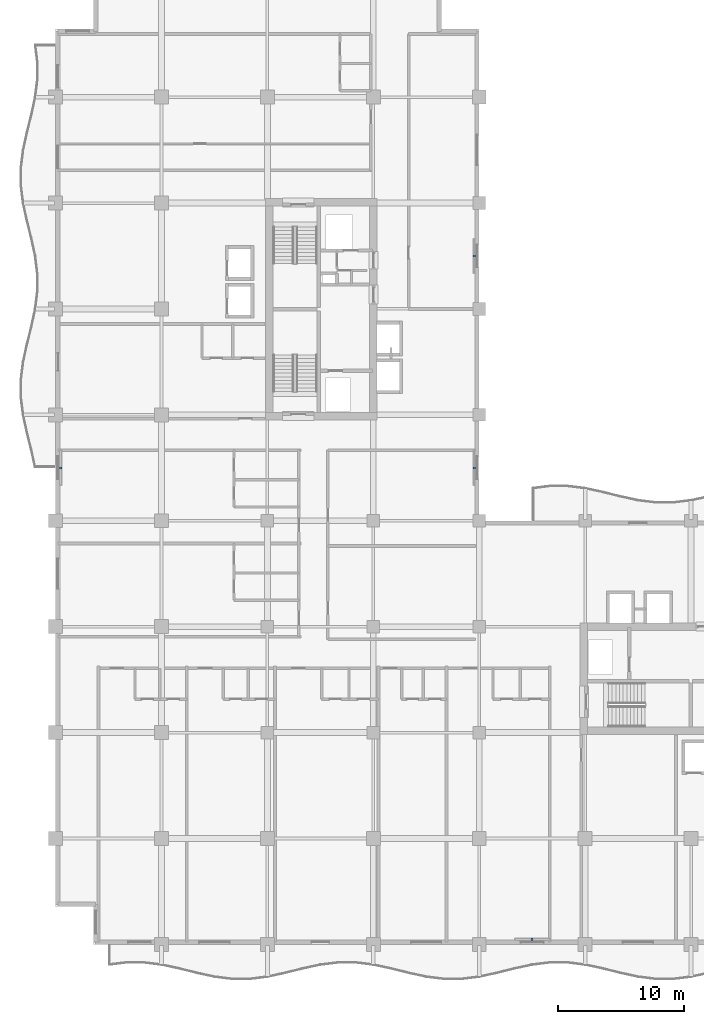
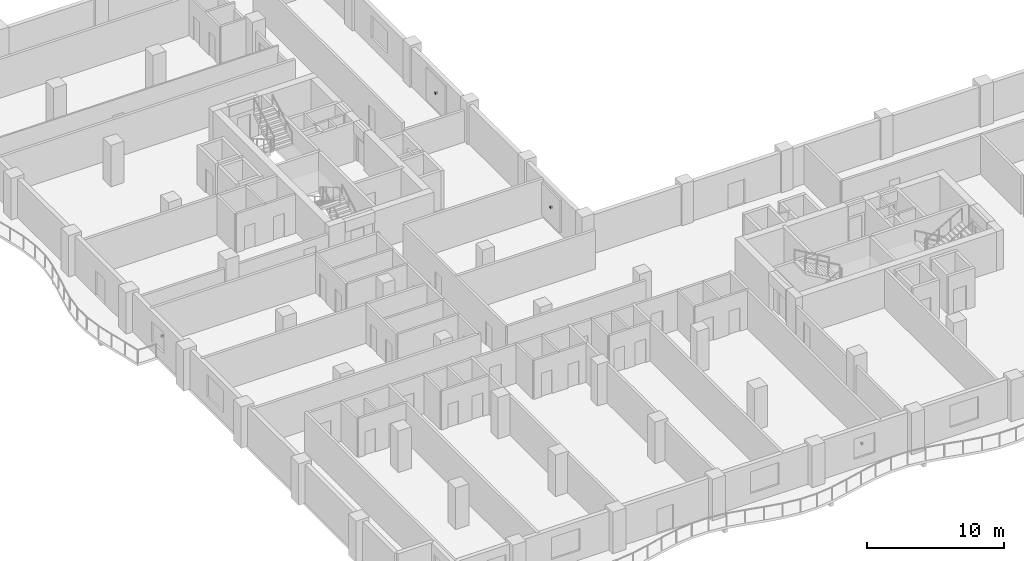
# One storey, part 11 of 15: 4 discrete accessories.
"""IFC4 building model written with IfcOpenShell, lengths in metres."""

from ifc_helpers import new_model, si_unit, direction, frame, origin, origin_2d, place, context, subcontext, project, spatial, rectangle, extrude, material, type_object, element, save


model = new_model("IFC4")

# Units and contexts
model_context = context("Model", 3, precision=1e-05, world=origin(), true_north=direction((0.0, 1.0)))
body_context = subcontext(model_context, "Body", "Model", "MODEL_VIEW")
ifc_project = project(units=[si_unit("LENGTHUNIT", "METRE"), si_unit("AREAUNIT", "SQUARE_METRE"), si_unit("VOLUMEUNIT", "CUBIC_METRE"), si_unit("PLANEANGLEUNIT", "RADIAN"), si_unit("MASSUNIT", "GRAM", prefix="KILO")], contexts=[model_context])

# Site, building, storey
site_placement = place(None, origin())
site = spatial("IfcSite", under=ifc_project, at=site_placement, CompositionType="ELEMENT")
building_placement = place(site_placement, origin())
building = spatial("IfcBuilding", under=site, at=building_placement, Name="Koriwani Terraces Tower", CompositionType="ELEMENT")
storey_placement = place(building_placement, frame((0.0, 0.0, 193.89990234375)))
storey = spatial("IfcBuildingStorey", under=building, at=storey_placement, Name="L47", CompositionType="ELEMENT", Elevation=193.89990234375)

# Discrete accessories
ifc_material = material(Name="Steel ASTM A572 Grade 50", Category="steel")
discrete_accessory_type = type_object("IfcDiscreteAccessoryType", Name="BAGUETTE_STANDOFF_BRACKET", PredefinedType="BRACKET", material=ifc_material)
for number, where, z_axis, x_axis, name in (
    (1, (0.389892578125, 37.800048828125, 1.64501953125), (0.0, 0.0, 1.0), (0.0, 1.0, 0.0), "L47 Terracotta Baguette Bracket (W-12)"),
    (2, (33.2099609375, 37.800048828125, 1.64501953125), (0.0, 0.0, 1.0), (0.0, -1.0, 0.0), "L47 Terracotta Baguette Bracket (NW_IN-2)"),
    (3, (33.2099609375, 54.60009765625, 1.64501953125), (0.0, 0.0, 1.0), (0.0, -1.0, 0.0), "L47 Terracotta Baguette Bracket (NW_IN-8)"),
    (4, (37.800048828125, 0.389892578125, 1.64501953125), (0.0, 0.0, 1.0), (-1.0, 0.0, 0.0), "L47 Terracotta Baguette Bracket (S-12)"),
):
    element("IfcDiscreteAccessory", number, at=place(storey_placement, frame(where, z_axis=z_axis, x_axis=x_axis)), inside=storey, type_object=discrete_accessory_type, Name=name, PredefinedType="BRACKET", context=body_context, shape_type="SweptSolid", body=[
        extrude(rectangle(XDim=0.159912109375, YDim=0.199951171875, at=origin_2d()), origin(), (0.0, 0.0, 1.0), 0.179931640625),
    ])

save(model, "model.ifc")
